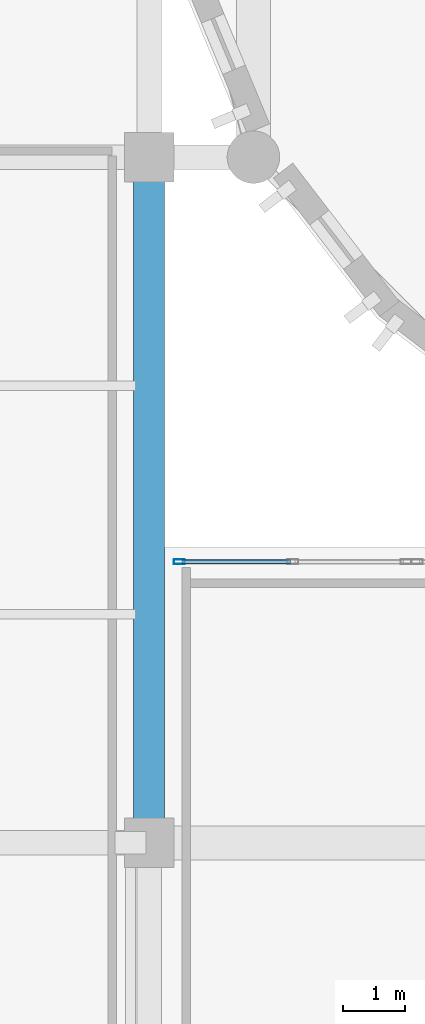
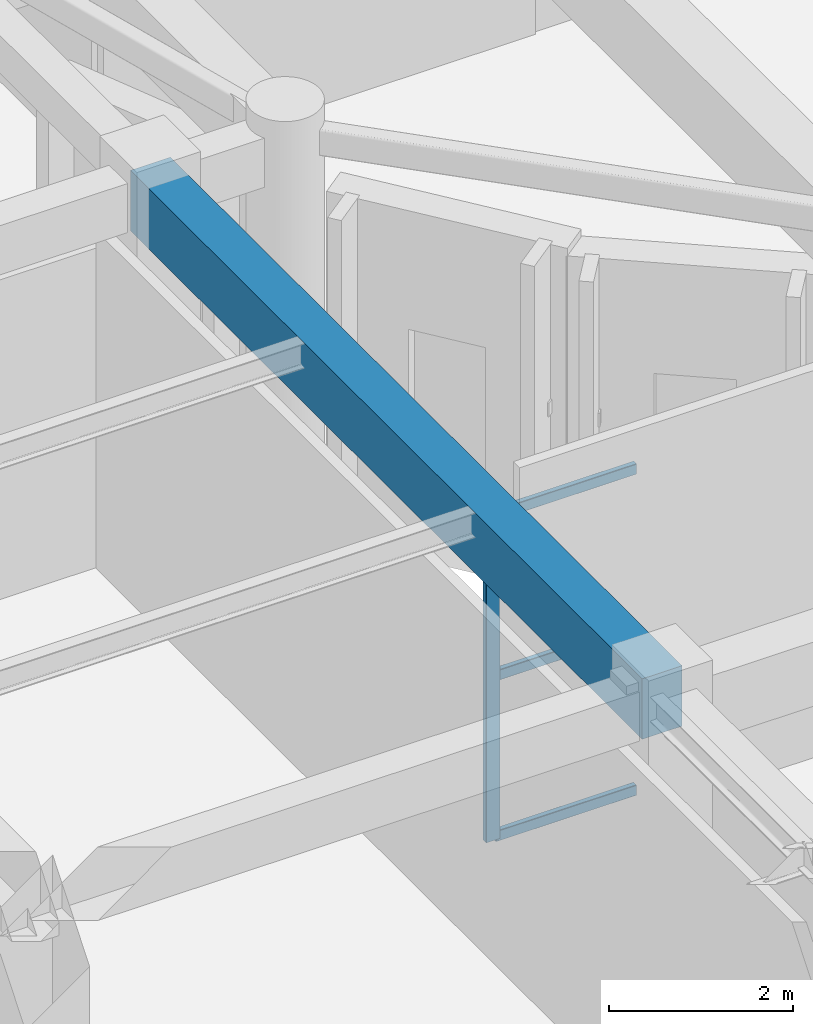
# One storey, part 31 of 98: 4 members, 1 beam, 1 element without a shape of its own.
"""IFC4 building model written with IfcOpenShell, lengths in metres."""

from ifc_helpers import new_model, si_unit, direction, frame, origin, origin_2d, place, context, subcontext, project, spatial, rectangle, hollow_rectangle, extrude, material, layer, layer_set, material_profile, profile_set, type_object, element, aggregate, save


model = new_model("IFC4")

# Units and contexts
model_context = context("Model", 3, precision=1e-05, world=origin(), true_north=direction((0.0, 1.0)))
body_context = subcontext(model_context, "Body", "Model", "MODEL_VIEW")
ifc_project = project(units=[si_unit("LENGTHUNIT", "METRE"), si_unit("AREAUNIT", "SQUARE_METRE"), si_unit("VOLUMEUNIT", "CUBIC_METRE"), si_unit("PLANEANGLEUNIT", "RADIAN"), si_unit("MASSUNIT", "GRAM", prefix="KILO")], contexts=[model_context])

# Site, building, storey
site_placement = place(None, origin())
site = spatial("IfcSite", under=ifc_project, at=site_placement, CompositionType="ELEMENT")
building_placement = place(site_placement, origin())
building = spatial("IfcBuilding", under=site, at=building_placement, Name="Tarnavel Promenade Courthouse", CompositionType="ELEMENT")
storey_placement = place(building_placement, origin())
storey = spatial("IfcBuildingStorey", under=building, at=storey_placement, Name="L01", CompositionType="ELEMENT", Elevation=0.0)

# Beam
ifc_material_1 = material(Name="Concrete C40/50", Category="concrete")
ifc_material_profile_1 = material_profile(ifc_material_1, rectangle(XDim=0.5, YDim=0.800048828125, at=origin_2d()), Name="PT 500x800")
ifc_profile_set_1 = profile_set([ifc_material_profile_1], Name="Concrete C40/50")
beam_type = type_object("IfcBeamType", Name="Concrete C40/50 BM-PT-500x800 (PT 500x800)", PredefinedType="T_BEAM", material=ifc_profile_set_1)
beam_placement = place(storey_placement, frame((46.199951171875, 74.39990234375, 4.735107421875), z_axis=(0.0, 1.0, 0.0), x_axis=(-1.0, 0.0, 0.0)))
element("IfcBeam", 1, at=beam_placement, inside=storey, type_object=beam_type, Name="L01 Transverse Girder 0781", PredefinedType="T_BEAM", context=body_context, shape_type="SweptSolid", body=[
    extrude(rectangle(XDim=0.5, YDim=0.800048828125, at=origin_2d()), origin(), (0.0, 0.0, 1.0), 11.10009765625),
])

# Curtain wall, members
ifc_material_2 = material(Name="Thermally Broken Anodised Aluminium Curtain Wall System", Category="aluminium")
ifc_layer = layer(ifc_material_2, 0.2099609375)
ifc_layer_set = layer_set([ifc_layer], Name="Thermally Broken Anodised Aluminium Curtain Wall System")
curtain_wall_type = type_object("IfcCurtainWallType", Name="Thermally Broken Aluminium Triple-Glazed Curtain Wall CW-WG-N", PredefinedType="NOTDEFINED", material=ifc_layer_set)
curtain_wall_placement = place(storey_placement, origin())
curtain_wall = element("IfcCurtainWall", 2, at=curtain_wall_placement, inside=storey, type_object=curtain_wall_type, Name="L01 Winter-Garden North Curtain Wall 102", PredefinedType="NOTDEFINED")
ifc_material_3 = material(Name="Thermally Broken Anodised Aluminium Frame", Category="aluminium")
ifc_material_profile_2 = material_profile(ifc_material_3, hollow_rectangle(XDim=0.080078125, YDim=0.179931640625, WallThickness=0.0048828125, InnerFilletRadius=0.0048828125, OuterFilletRadius=0.010009765625, at=origin_2d()), Name="CWM 180x80x5")
ifc_profile_set_2 = profile_set([ifc_material_profile_2], Name="Thermally Broken Anodised Aluminium Frame")
member_type_1 = type_object("IfcMemberType", Name="Thermally Broken Anodised Aluminium CWM-155 (CWM 180x80x5)", PredefinedType="MULLION", material=ifc_profile_set_2)
member_1_placement = place(storey_placement, frame((46.68994140625, 78.949951171875, 0.0), z_axis=(0.0, 0.0, 1.0), x_axis=(0.0, 1.0, 0.0)))
member_1 = element("IfcMember", 3, at=member_1_placement, type_object=member_type_1, Name="CW-03 mullion 1", PredefinedType="MULLION", context=body_context, shape_type="SweptSolid", body=[
    extrude(hollow_rectangle(XDim=0.080078125, YDim=0.179931640625, WallThickness=0.0048828125, InnerFilletRadius=0.0048828125, OuterFilletRadius=0.010009765625, at=origin_2d()), origin(), (0.0, 0.0, 1.0), 4.320068359375),
])
ifc_material_profile_3 = material_profile(ifc_material_3, hollow_rectangle(XDim=0.070068359375, YDim=0.139892578125, WallThickness=0.0048828125, InnerFilletRadius=0.0048828125, OuterFilletRadius=0.010009765625, at=origin_2d()), Name="CWT 140x70x5")
ifc_profile_set_3 = profile_set([ifc_material_profile_3], Name="Thermally Broken Anodised Aluminium Frame")
member_type_2 = type_object("IfcMemberType", Name="Thermally Broken Anodised Aluminium CWT-125 (CWT 140x70x5)", PredefinedType="USERDEFINED", material=ifc_profile_set_3)
member_2_placement = place(storey_placement, frame((46.72998046875, 78.949951171875, 0.034912109375), z_axis=(1.0, 0.0, 0.0), x_axis=(0.0, 1.0, 0.0)))
member_2 = element("IfcMember", 4, at=member_2_placement, type_object=member_type_2, Name="CW-03 transom 1.1", ObjectType="TRANSOM", PredefinedType="USERDEFINED", context=body_context, shape_type="SweptSolid", body=[
    extrude(hollow_rectangle(XDim=0.070068359375, YDim=0.139892578125, WallThickness=0.0048828125, InnerFilletRadius=0.0048828125, OuterFilletRadius=0.010009765625, at=origin_2d()), origin(), (0.0, 0.0, 1.0), 1.755126953125),
])
member_3_placement = place(storey_placement, frame((46.72998046875, 78.949951171875, 2.159912109375), z_axis=(1.0, 0.0, 0.0), x_axis=(0.0, 1.0, 0.0)))
member_3 = element("IfcMember", 5, at=member_3_placement, type_object=member_type_2, Name="CW-03 transom 1.2", ObjectType="TRANSOM", PredefinedType="USERDEFINED", context=body_context, shape_type="SweptSolid", body=[
    extrude(hollow_rectangle(XDim=0.070068359375, YDim=0.139892578125, WallThickness=0.0048828125, InnerFilletRadius=0.0048828125, OuterFilletRadius=0.010009765625, at=origin_2d()), origin(), (0.0, 0.0, 1.0), 1.755126953125),
])
member_4_placement = place(storey_placement, frame((46.72998046875, 78.949951171875, 4.284912109375), z_axis=(1.0, 0.0, 0.0), x_axis=(0.0, 1.0, 0.0)))
member_4 = element("IfcMember", 6, at=member_4_placement, type_object=member_type_2, Name="CW-03 transom 1.3", ObjectType="TRANSOM", PredefinedType="USERDEFINED", context=body_context, shape_type="SweptSolid", body=[
    extrude(hollow_rectangle(XDim=0.070068359375, YDim=0.139892578125, WallThickness=0.0048828125, InnerFilletRadius=0.0048828125, OuterFilletRadius=0.010009765625, at=origin_2d()), origin(), (0.0, 0.0, 1.0), 1.755126953125),
])
aggregate(curtain_wall, [member_1, member_2, member_3, member_4])

save(model, "model.ifc")
